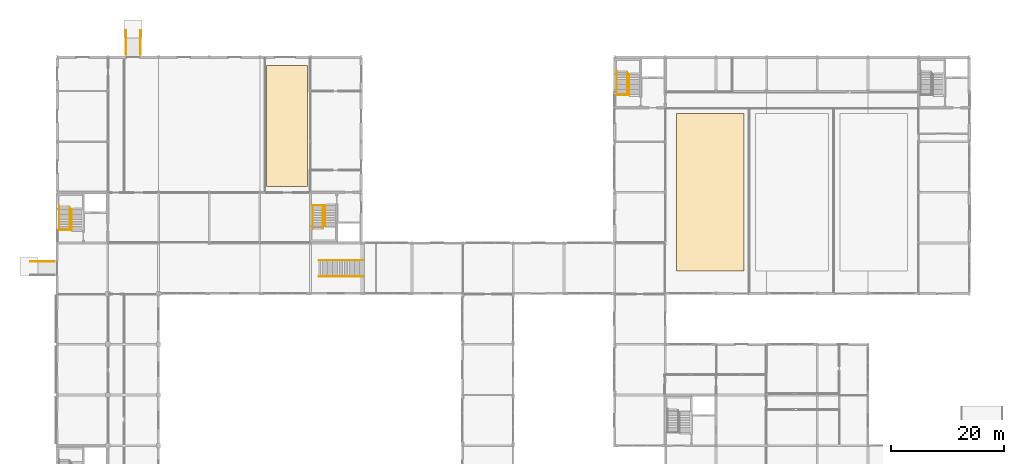
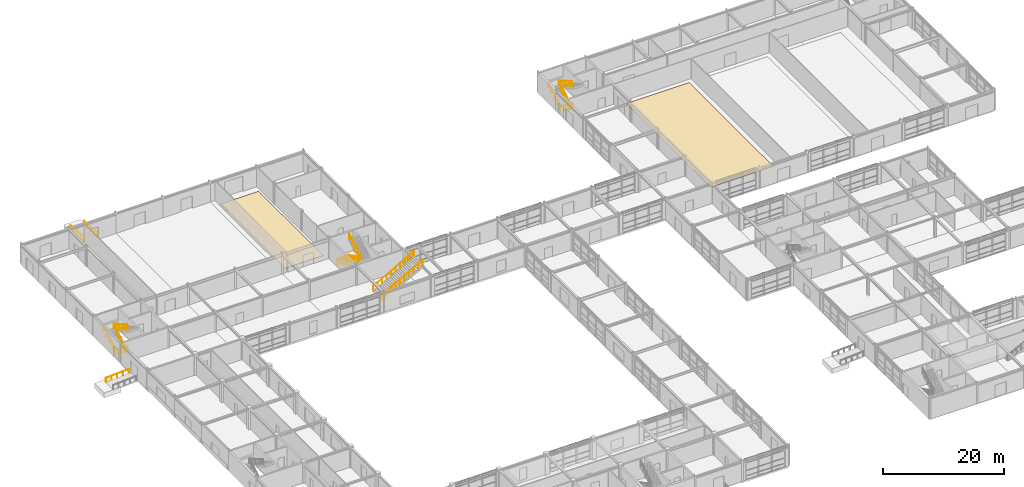
# One storey, part 71 of 72: 14 railings, 2 coverings.
"""IFC4 building model written with IfcOpenShell, lengths in metres."""

from ifc_helpers import new_model, si_unit, direction, frame, origin, origin_2d, place, context, subcontext, project, spatial, polyline, circle, outline, extrude, material, layer, layer_set, type_object, element, save


model = new_model("IFC4")

# Units and contexts
model_context = context("Model", 3, precision=1e-05, world=origin(), true_north=direction((0.0, 1.0)))
body_context = subcontext(model_context, "Body", "Model", "MODEL_VIEW")
ifc_project = project(units=[si_unit("LENGTHUNIT", "METRE"), si_unit("AREAUNIT", "SQUARE_METRE"), si_unit("VOLUMEUNIT", "CUBIC_METRE"), si_unit("PLANEANGLEUNIT", "RADIAN"), si_unit("MASSUNIT", "GRAM", prefix="KILO")], contexts=[model_context])

# Site, building, storey
site_placement = place(None, origin())
site = spatial("IfcSite", under=ifc_project, at=site_placement, CompositionType="ELEMENT")
building_placement = place(site_placement, origin())
building = spatial("IfcBuilding", under=site, at=building_placement, Name="Palais des Congres Ocreval", CompositionType="ELEMENT")
storey_placement = place(building_placement, origin())
storey = spatial("IfcBuildingStorey", under=building, at=storey_placement, Name="L00", CompositionType="ELEMENT", Elevation=0.0)

# Railings
ifc_material_1 = material(Name="Anodized bronze aluminium", Category="aluminium")
railing_type_1 = type_object("IfcRailingType", Name="Bronze Stair and Ramp Handrail 900", PredefinedType="HANDRAIL", material=ifc_material_1)
railing_1_placement = place(storey_placement, frame((0.3798828125, 83.35009765625, 0.159912109375)))
element("IfcRailing", 1, at=railing_1_placement, inside=storey, type_object=railing_type_1, Name="Stair Wall Handrail ST05 L00", PredefinedType="HANDRAIL", context=body_context, shape_type="SweptSolid", body=[
    extrude(circle(Radius=0.02392578125, at=origin_2d()), frame((0.0, 0.0, 0.8759765625), z_axis=(0.0, 0.882351521365, 0.470590897432), x_axis=(-1.0, 0.0, 0.0)), (0.0, 0.0, 1.0), 4.760009765625),
    extrude(circle(Radius=0.02099609375, at=origin_2d()), origin(), (0.0, 0.0, 1.0), 0.851806640625),
    extrude(circle(Radius=0.02099609375, at=origin_2d()), frame((0.0, 1.050048828125, 0.56005859375)), (0.0, 0.0, 1.0), 0.851806640625),
    extrude(circle(Radius=0.02099609375, at=origin_2d()), frame((0.0, 2.10009765625, 1.1201171875)), (0.0, 0.0, 1.0), 0.851806640625),
    extrude(circle(Radius=0.02099609375, at=origin_2d()), frame((0.0, 3.14990234375, 1.679931640625)), (0.0, 0.0, 1.0), 0.851806640625),
    extrude(circle(Radius=0.02099609375, at=origin_2d()), frame((0.0, 4.199951171875, 2.239990234375)), (0.0, 0.0, 1.0), 0.851806640625),
])
railing_2_placement = place(storey_placement, frame((45.3798828125, 87.64990234375, 0.159912109375)))
element("IfcRailing", 2, at=railing_2_placement, inside=storey, type_object=railing_type_1, Name="Stair Wall Handrail ST06 L00", PredefinedType="HANDRAIL", context=body_context, shape_type="SweptSolid", body=[
    extrude(circle(Radius=0.02392578125, at=origin_2d()), frame((0.0, 0.0, 0.8759765625), z_axis=(0.0, -0.882351521365, 0.470590897432), x_axis=(1.0, 0.0, 0.0)), (0.0, 0.0, 1.0), 4.760009765625),
    extrude(circle(Radius=0.02099609375, at=origin_2d()), origin(), (0.0, 0.0, 1.0), 0.851806640625),
    extrude(circle(Radius=0.02099609375, at=origin_2d()), frame((0.0, -1.050048828125, 0.56005859375)), (0.0, 0.0, 1.0), 0.851806640625),
    extrude(circle(Radius=0.02099609375, at=origin_2d()), frame((0.0, -2.10009765625, 1.1201171875)), (0.0, 0.0, 1.0), 0.851806640625),
    extrude(circle(Radius=0.02099609375, at=origin_2d()), frame((0.0, -3.14990234375, 1.679931640625)), (0.0, 0.0, 1.0), 0.851806640625),
    extrude(circle(Radius=0.02099609375, at=origin_2d()), frame((0.0, -4.199951171875, 2.239990234375)), (0.0, 0.0, 1.0), 0.851806640625),
])
railing_3_placement = place(storey_placement, frame((99.3798828125, 107.35009765625, 0.159912109375)))
element("IfcRailing", 3, at=railing_3_placement, inside=storey, type_object=railing_type_1, Name="Stair Wall Handrail ST07 L00", PredefinedType="HANDRAIL", context=body_context, shape_type="SweptSolid", body=[
    extrude(circle(Radius=0.02392578125, at=origin_2d()), frame((0.0, 0.0, 0.8759765625), z_axis=(0.0, 0.882351521365, 0.470590897432), x_axis=(-1.0, 0.0, 0.0)), (0.0, 0.0, 1.0), 4.760009765625),
    extrude(circle(Radius=0.02099609375, at=origin_2d()), origin(), (0.0, 0.0, 1.0), 0.851806640625),
    extrude(circle(Radius=0.02099609375, at=origin_2d()), frame((0.0, 1.050048828125, 0.56005859375)), (0.0, 0.0, 1.0), 0.851806640625),
    extrude(circle(Radius=0.02099609375, at=origin_2d()), frame((0.0, 2.10009765625, 1.1201171875)), (0.0, 0.0, 1.0), 0.851806640625),
    extrude(circle(Radius=0.02099609375, at=origin_2d()), frame((0.0, 3.14990234375, 1.679931640625)), (0.0, 0.0, 1.0), 0.851806640625),
    extrude(circle(Radius=0.02099609375, at=origin_2d()), frame((0.0, 4.199951171875, 2.239990234375)), (0.0, 0.0, 1.0), 0.851806640625),
])
railing_4_placement = place(storey_placement, frame((-4.800048828125, 77.68994140625, -0.280029296875)))
element("IfcRailing", 4, at=railing_4_placement, inside=storey, type_object=railing_type_1, Name="West Forecourt Accessible PMR Ramp R3 Handrail 1R", PredefinedType="HANDRAIL", context=body_context, shape_type="SweptSolid", body=[
    extrude(circle(Radius=0.02392578125, at=origin_2d()), frame((0.0, 0.0, 0.8759765625), z_axis=(0.998300931723, 0.0, 0.05826877141), x_axis=(0.0, 1.0, 0.0)), (0.0, 0.0, 1.0), 4.357421875),
    extrude(circle(Radius=0.02099609375, at=origin_2d()), origin(), (0.0, 0.0, 1.0), 0.851806640625),
    extrude(circle(Radius=0.02099609375, at=origin_2d()), frame((1.08740234375, 0.0, 0.0634765625)), (0.0, 0.0, 1.0), 0.851806640625),
    extrude(circle(Radius=0.02099609375, at=origin_2d()), frame((2.175048828125, 0.0, 0.126953125)), (0.0, 0.0, 1.0), 0.851806640625),
    extrude(circle(Radius=0.02099609375, at=origin_2d()), frame((3.2626953125, 0.0, 0.1904296875)), (0.0, 0.0, 1.0), 0.851806640625),
    extrude(circle(Radius=0.02099609375, at=origin_2d()), frame((4.35009765625, 0.0, 0.25390625)), (0.0, 0.0, 1.0), 0.851806640625),
])
for number, where, name in (
    (5, (12.2099609375, 118.800048828125, -0.280029296875), "North Congress Parvis Accessible PMR Ramp R6 Handrail 1L"),
    (6, (14.7900390625, 118.800048828125, -0.280029296875), "North Congress Parvis Accessible PMR Ramp R6 Handrail 1R"),
):
    element("IfcRailing", number, at=place(storey_placement, frame(where)), inside=storey, type_object=railing_type_1, Name=name, PredefinedType="HANDRAIL", context=body_context, shape_type="SweptSolid", body=[
        extrude(circle(Radius=0.02392578125, at=origin_2d()), frame((0.0, 0.0, 0.8759765625), z_axis=(0.0, -0.998304189288, 0.0582129337), x_axis=(1.0, 0.0, 0.0)), (0.0, 0.0, 1.0), 4.357421875),
        extrude(circle(Radius=0.02099609375, at=origin_2d()), origin(), (0.0, 0.0, 1.0), 0.851806640625),
        extrude(circle(Radius=0.02099609375, at=origin_2d()), frame((0.0, -1.08740234375, 0.0634765625)), (0.0, 0.0, 1.0), 0.851806640625),
        extrude(circle(Radius=0.02099609375, at=origin_2d()), frame((0.0, -2.175048828125, 0.126953125)), (0.0, 0.0, 1.0), 0.851806640625),
        extrude(circle(Radius=0.02099609375, at=origin_2d()), frame((0.0, -3.2626953125, 0.190185546875)), (0.0, 0.0, 1.0), 0.851806640625),
        extrude(circle(Radius=0.02099609375, at=origin_2d()), frame((0.0, -4.35009765625, 0.253662109375)), (0.0, 0.0, 1.0), 0.851806640625),
    ])

# Coverings
ifc_material_2 = material(Name="Solid French oak", Category="wood")
ifc_layer = layer(ifc_material_2, 0.02490234375)
ifc_layer_set = layer_set([ifc_layer], Name="French Oak and Lutetian Stone Flooring 25 (Solid French oak)")
covering_type = type_object("IfcCoveringType", Name="French Oak and Lutetian Stone Flooring 25", PredefinedType="FLOORING", material=ifc_layer_set)
covering_1_placement = place(storey_placement, origin())
element("IfcCovering", 7, at=covering_1_placement, inside=storey, type_object=covering_type, Name="Congress Stage Sprung French Oak Flooring", PredefinedType="FLOORING", context=body_context, shape_type="SweptSolid", body=[
    extrude(outline(polyline([(37.199951171875, 91.0), (44.5, 91.0), (44.5, 112.5), (37.199951171875, 112.5), (37.199951171875, 91.0)])), origin(), (0.0, 0.0, 1.0), 0.02490234375),
])
covering_2_placement = place(storey_placement, origin())
element("IfcCovering", 8, at=covering_2_placement, inside=storey, type_object=covering_type, Name="Ballroom Salon A Parquet Flooring", PredefinedType="FLOORING", context=body_context, shape_type="SweptSolid", body=[
    extrude(outline(polyline([(110.0, 76.0), (122.0, 76.0), (122.0, 104.0), (110.0, 104.0), (110.0, 76.0)])), origin(), (0.0, 0.0, 1.0), 0.02490234375),
])

# Railings
ifc_material_3 = material(Name="Steel S355", Category="steel")
railing_type_2 = type_object("IfcRailingType", Name="Stairwell Steel Guardrail 1100", PredefinedType="GUARDRAIL", material=ifc_material_3)
railing_5_placement = place(storey_placement, frame((0.320068359375, 83.300048828125, 0.0)))
element("IfcRailing", 9, at=railing_5_placement, inside=storey, type_object=railing_type_2, Name="Stairwell Landing Edge Guard ST05 L00", PredefinedType="GUARDRAIL", context=body_context, shape_type="SweptSolid", body=[
    extrude(circle(Radius=0.02392578125, at=origin_2d()), frame((0.0, 0.0, 1.076171875), z_axis=(1.0, 0.0, 0.0), x_axis=(0.0, 1.0, 0.0)), (0.0, 0.0, 1.0), 2.25),
    extrude(circle(Radius=0.02099609375, at=origin_2d()), origin(), (0.0, 0.0, 1.0), 1.052001953125),
    extrude(circle(Radius=0.02099609375, at=origin_2d()), frame((0.75, 0.0, 0.0)), (0.0, 0.0, 1.0), 1.052001953125),
    extrude(circle(Radius=0.02099609375, at=origin_2d()), frame((1.5, 0.0, 0.0)), (0.0, 0.0, 1.0), 1.052001953125),
    extrude(circle(Radius=0.02099609375, at=origin_2d()), frame((2.25, 0.0, 0.0)), (0.0, 0.0, 1.0), 1.052001953125),
])
railing_6_placement = place(storey_placement, frame((2.22998046875, 83.35009765625, 0.0)))
element("IfcRailing", 10, at=railing_6_placement, inside=storey, type_object=railing_type_2, Name="Stair Inner Guardrail ST05 L00", PredefinedType="GUARDRAIL", context=body_context, shape_type="SweptSolid", body=[
    extrude(circle(Radius=0.02392578125, at=origin_2d()), frame((0.0, 0.0, 1.076171875), z_axis=(0.0, 0.867141957756, 0.498061065632), x_axis=(-1.0, 0.0, 0.0)), (0.0, 0.0, 1.0), 4.497314453125),
    extrude(circle(Radius=0.02392578125, at=origin_2d()), frame((0.0, 3.89990234375, 3.31591796875), z_axis=(0.749869273535, -0.661586028123, 0.0), x_axis=(0.661586028123, 0.749869273535, 0.0)), (0.0, 0.0, 1.0), 0.45361328125),
    extrude(circle(Radius=0.02392578125, at=origin_2d()), frame((0.340087890625, 3.599853515625, 3.31591796875), z_axis=(0.0, -0.865848115047, 0.500306947453), x_axis=(1.0, 0.0, 0.0)), (0.0, 0.0, 1.0), 4.15771484375),
    extrude(circle(Radius=0.02099609375, at=origin_2d()), origin(), (0.0, 0.0, 1.0), 1.052001953125),
    extrude(circle(Radius=0.02099609375, at=origin_2d()), frame((0.0, 0.780029296875, 0.447998046875)), (0.0, 0.0, 1.0), 1.052001953125),
    extrude(circle(Radius=0.02099609375, at=origin_2d()), frame((0.0, 1.56005859375, 0.89599609375)), (0.0, 0.0, 1.0), 1.052001953125),
    extrude(circle(Radius=0.02099609375, at=origin_2d()), frame((0.0, 2.33984375, 1.343994140625)), (0.0, 0.0, 1.0), 1.052001953125),
    extrude(circle(Radius=0.02099609375, at=origin_2d()), frame((0.0, 3.119873046875, 1.7919921875)), (0.0, 0.0, 1.0), 1.052001953125),
    extrude(circle(Radius=0.02099609375, at=origin_2d()), frame((0.0, 3.89990234375, 2.239990234375)), (0.0, 0.0, 1.0), 1.052001953125),
    extrude(circle(Radius=0.02099609375, at=origin_2d()), frame((0.340087890625, 3.599853515625, 2.239990234375)), (0.0, 0.0, 1.0), 1.052001953125),
    extrude(circle(Radius=0.02099609375, at=origin_2d()), frame((0.340087890625, 2.699951171875, 2.760009765625)), (0.0, 0.0, 1.0), 1.052001953125),
    extrude(circle(Radius=0.02099609375, at=origin_2d()), frame((0.340087890625, 1.7998046875, 3.280029296875)), (0.0, 0.0, 1.0), 1.052001953125),
    extrude(circle(Radius=0.02099609375, at=origin_2d()), frame((0.340087890625, 0.89990234375, 3.800048828125)), (0.0, 0.0, 1.0), 1.052001953125),
    extrude(circle(Radius=0.02099609375, at=origin_2d()), frame((0.340087890625, 0.0, 4.320068359375)), (0.0, 0.0, 1.0), 1.052001953125),
])
railing_7_placement = place(storey_placement, frame((45.320068359375, 87.699951171875, 0.0)))
element("IfcRailing", 11, at=railing_7_placement, inside=storey, type_object=railing_type_2, Name="Stairwell Landing Edge Guard ST06 L00", PredefinedType="GUARDRAIL", context=body_context, shape_type="SweptSolid", body=[
    extrude(circle(Radius=0.02392578125, at=origin_2d()), frame((0.0, 0.0, 1.076171875), z_axis=(1.0, 0.0, 0.0), x_axis=(0.0, 1.0, 0.0)), (0.0, 0.0, 1.0), 2.25),
    extrude(circle(Radius=0.02099609375, at=origin_2d()), origin(), (0.0, 0.0, 1.0), 1.052001953125),
    extrude(circle(Radius=0.02099609375, at=origin_2d()), frame((0.75, 0.0, 0.0)), (0.0, 0.0, 1.0), 1.052001953125),
    extrude(circle(Radius=0.02099609375, at=origin_2d()), frame((1.5, 0.0, 0.0)), (0.0, 0.0, 1.0), 1.052001953125),
    extrude(circle(Radius=0.02099609375, at=origin_2d()), frame((2.25, 0.0, 0.0)), (0.0, 0.0, 1.0), 1.052001953125),
])
railing_8_placement = place(storey_placement, frame((47.22998046875, 87.64990234375, 0.0)))
element("IfcRailing", 12, at=railing_8_placement, inside=storey, type_object=railing_type_2, Name="Stair Inner Guardrail ST06 L00", PredefinedType="GUARDRAIL", context=body_context, shape_type="SweptSolid", body=[
    extrude(circle(Radius=0.02392578125, at=origin_2d()), frame((0.0, 0.0, 1.076171875), z_axis=(0.0, -0.867141957756, 0.498061065632), x_axis=(1.0, 0.0, 0.0)), (0.0, 0.0, 1.0), 4.497314453125),
    extrude(circle(Radius=0.02392578125, at=origin_2d()), frame((0.0, -3.89990234375, 3.31591796875), z_axis=(0.749869273535, 0.661586028123, 0.0), x_axis=(-0.661586028123, 0.749869273535, 0.0)), (0.0, 0.0, 1.0), 0.45361328125),
    extrude(circle(Radius=0.02392578125, at=origin_2d()), frame((0.340087890625, -3.599853515625, 3.31591796875), z_axis=(0.0, 0.865848115047, 0.500306947453), x_axis=(-1.0, 0.0, 0.0)), (0.0, 0.0, 1.0), 4.15771484375),
    extrude(circle(Radius=0.02099609375, at=origin_2d()), origin(), (0.0, 0.0, 1.0), 1.052001953125),
    extrude(circle(Radius=0.02099609375, at=origin_2d()), frame((0.0, -0.780029296875, 0.447998046875)), (0.0, 0.0, 1.0), 1.052001953125),
    extrude(circle(Radius=0.02099609375, at=origin_2d()), frame((0.0, -1.56005859375, 0.89599609375)), (0.0, 0.0, 1.0), 1.052001953125),
    extrude(circle(Radius=0.02099609375, at=origin_2d()), frame((0.0, -2.33984375, 1.343994140625)), (0.0, 0.0, 1.0), 1.052001953125),
    extrude(circle(Radius=0.02099609375, at=origin_2d()), frame((0.0, -3.119873046875, 1.7919921875)), (0.0, 0.0, 1.0), 1.052001953125),
    extrude(circle(Radius=0.02099609375, at=origin_2d()), frame((0.0, -3.89990234375, 2.239990234375)), (0.0, 0.0, 1.0), 1.052001953125),
    extrude(circle(Radius=0.02099609375, at=origin_2d()), frame((0.340087890625, -3.599853515625, 2.239990234375)), (0.0, 0.0, 1.0), 1.052001953125),
    extrude(circle(Radius=0.02099609375, at=origin_2d()), frame((0.340087890625, -2.699951171875, 2.760009765625)), (0.0, 0.0, 1.0), 1.052001953125),
    extrude(circle(Radius=0.02099609375, at=origin_2d()), frame((0.340087890625, -1.7998046875, 3.280029296875)), (0.0, 0.0, 1.0), 1.052001953125),
    extrude(circle(Radius=0.02099609375, at=origin_2d()), frame((0.340087890625, -0.89990234375, 3.800048828125)), (0.0, 0.0, 1.0), 1.052001953125),
    extrude(circle(Radius=0.02099609375, at=origin_2d()), frame((0.340087890625, 0.0, 4.320068359375)), (0.0, 0.0, 1.0), 1.052001953125),
])
railing_9_placement = place(storey_placement, frame((99.320068359375, 107.300048828125, 0.0)))
element("IfcRailing", 13, at=railing_9_placement, inside=storey, type_object=railing_type_2, Name="Stairwell Landing Edge Guard ST07 L00", PredefinedType="GUARDRAIL", context=body_context, shape_type="SweptSolid", body=[
    extrude(circle(Radius=0.02392578125, at=origin_2d()), frame((0.0, 0.0, 1.076171875), z_axis=(1.0, 0.0, 0.0), x_axis=(0.0, 1.0, 0.0)), (0.0, 0.0, 1.0), 2.25),
    extrude(circle(Radius=0.02099609375, at=origin_2d()), origin(), (0.0, 0.0, 1.0), 1.052001953125),
    extrude(circle(Radius=0.02099609375, at=origin_2d()), frame((0.75, 0.0, 0.0)), (0.0, 0.0, 1.0), 1.052001953125),
    extrude(circle(Radius=0.02099609375, at=origin_2d()), frame((1.5, 0.0, 0.0)), (0.0, 0.0, 1.0), 1.052001953125),
    extrude(circle(Radius=0.02099609375, at=origin_2d()), frame((2.25, 0.0, 0.0)), (0.0, 0.0, 1.0), 1.052001953125),
])
railing_10_placement = place(storey_placement, frame((101.22998046875, 107.35009765625, 0.0)))
element("IfcRailing", 14, at=railing_10_placement, inside=storey, type_object=railing_type_2, Name="Stair Inner Guardrail ST07 L00", PredefinedType="GUARDRAIL", context=body_context, shape_type="SweptSolid", body=[
    extrude(circle(Radius=0.02392578125, at=origin_2d()), frame((0.0, 0.0, 1.076171875), z_axis=(0.0, 0.867141957756, 0.498061065632), x_axis=(-1.0, 0.0, 0.0)), (0.0, 0.0, 1.0), 4.497314453125),
    extrude(circle(Radius=0.02392578125, at=origin_2d()), frame((0.0, 3.89990234375, 3.31591796875), z_axis=(0.749869273535, -0.661586028123, 0.0), x_axis=(0.661586028123, 0.749869273535, 0.0)), (0.0, 0.0, 1.0), 0.45361328125),
    extrude(circle(Radius=0.02392578125, at=origin_2d()), frame((0.340087890625, 3.599853515625, 3.31591796875), z_axis=(0.0, -0.865848115047, 0.500306947453), x_axis=(1.0, 0.0, 0.0)), (0.0, 0.0, 1.0), 4.15771484375),
    extrude(circle(Radius=0.02099609375, at=origin_2d()), origin(), (0.0, 0.0, 1.0), 1.052001953125),
    extrude(circle(Radius=0.02099609375, at=origin_2d()), frame((0.0, 0.780029296875, 0.447998046875)), (0.0, 0.0, 1.0), 1.052001953125),
    extrude(circle(Radius=0.02099609375, at=origin_2d()), frame((0.0, 1.56005859375, 0.89599609375)), (0.0, 0.0, 1.0), 1.052001953125),
    extrude(circle(Radius=0.02099609375, at=origin_2d()), frame((0.0, 2.33984375, 1.343994140625)), (0.0, 0.0, 1.0), 1.052001953125),
    extrude(circle(Radius=0.02099609375, at=origin_2d()), frame((0.0, 3.119873046875, 1.7919921875)), (0.0, 0.0, 1.0), 1.052001953125),
    extrude(circle(Radius=0.02099609375, at=origin_2d()), frame((0.0, 3.89990234375, 2.239990234375)), (0.0, 0.0, 1.0), 1.052001953125),
    extrude(circle(Radius=0.02099609375, at=origin_2d()), frame((0.340087890625, 3.599853515625, 2.239990234375)), (0.0, 0.0, 1.0), 1.052001953125),
    extrude(circle(Radius=0.02099609375, at=origin_2d()), frame((0.340087890625, 2.699951171875, 2.760009765625)), (0.0, 0.0, 1.0), 1.052001953125),
    extrude(circle(Radius=0.02099609375, at=origin_2d()), frame((0.340087890625, 1.7998046875, 3.280029296875)), (0.0, 0.0, 1.0), 1.052001953125),
    extrude(circle(Radius=0.02099609375, at=origin_2d()), frame((0.340087890625, 0.89990234375, 3.800048828125)), (0.0, 0.0, 1.0), 1.052001953125),
    extrude(circle(Radius=0.02099609375, at=origin_2d()), frame((0.340087890625, 0.0, 4.320068359375)), (0.0, 0.0, 1.0), 1.052001953125),
])
for number, where, name in (
    (15, (46.5, 75.050048828125, 0.0), "Feature Stair Flight Guard ST11-S"),
    (16, (46.5, 77.949951171875, 0.0), "Feature Stair Flight Guard ST11-N"),
):
    element("IfcRailing", number, at=place(storey_placement, frame(where)), inside=storey, type_object=railing_type_2, Name=name, PredefinedType="GUARDRAIL", context=body_context, shape_type="SweptSolid", body=[
        extrude(circle(Radius=0.02392578125, at=origin_2d()), frame((0.0, 0.0, 1.076171875), z_axis=(0.874789392159, 0.0, 0.484503373948), x_axis=(0.0, 1.0, 0.0)), (0.0, 0.0, 1.0), 8.91650390625),
        extrude(circle(Radius=0.02099609375, at=origin_2d()), origin(), (0.0, 0.0, 1.0), 1.052001953125),
        extrude(circle(Radius=0.02099609375, at=origin_2d()), frame((0.86669921875, 0.0, 0.47998046875)), (0.0, 0.0, 1.0), 1.052001953125),
        extrude(circle(Radius=0.02099609375, at=origin_2d()), frame((1.7333984375, 0.0, 0.9599609375)), (0.0, 0.0, 1.0), 1.052001953125),
        extrude(circle(Radius=0.02099609375, at=origin_2d()), frame((2.60009765625, 0.0, 1.43994140625)), (0.0, 0.0, 1.0), 1.052001953125),
        extrude(circle(Radius=0.02099609375, at=origin_2d()), frame((3.466796875, 0.0, 1.919921875)), (0.0, 0.0, 1.0), 1.052001953125),
        extrude(circle(Radius=0.02099609375, at=origin_2d()), frame((4.333251953125, 0.0, 2.400146484375)), (0.0, 0.0, 1.0), 1.052001953125),
        extrude(circle(Radius=0.02099609375, at=origin_2d()), frame((5.199951171875, 0.0, 2.880126953125)), (0.0, 0.0, 1.0), 1.052001953125),
        extrude(circle(Radius=0.02099609375, at=origin_2d()), frame((6.066650390625, 0.0, 3.360107421875)), (0.0, 0.0, 1.0), 1.052001953125),
        extrude(circle(Radius=0.02099609375, at=origin_2d()), frame((6.933349609375, 0.0, 3.840087890625)), (0.0, 0.0, 1.0), 1.052001953125),
        extrude(circle(Radius=0.02099609375, at=origin_2d()), frame((7.800048828125, 0.0, 4.320068359375)), (0.0, 0.0, 1.0), 1.052001953125),
    ])

save(model, "model.ifc")
